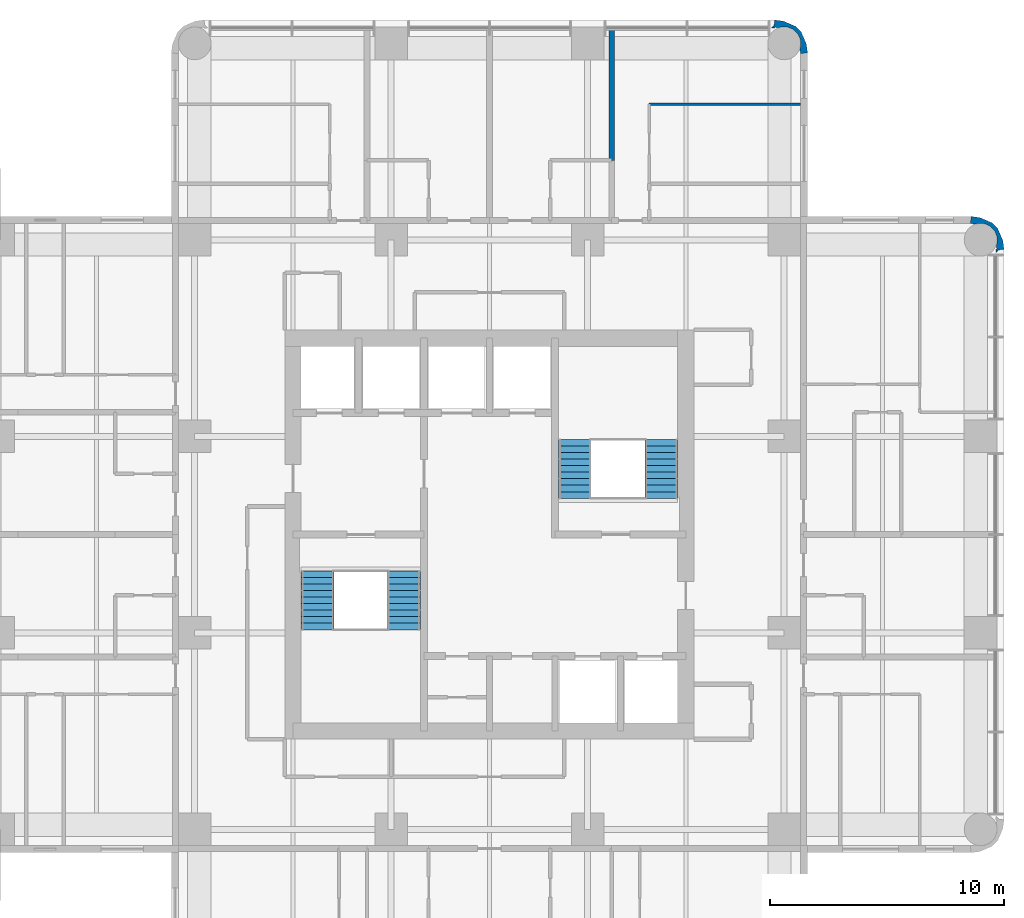
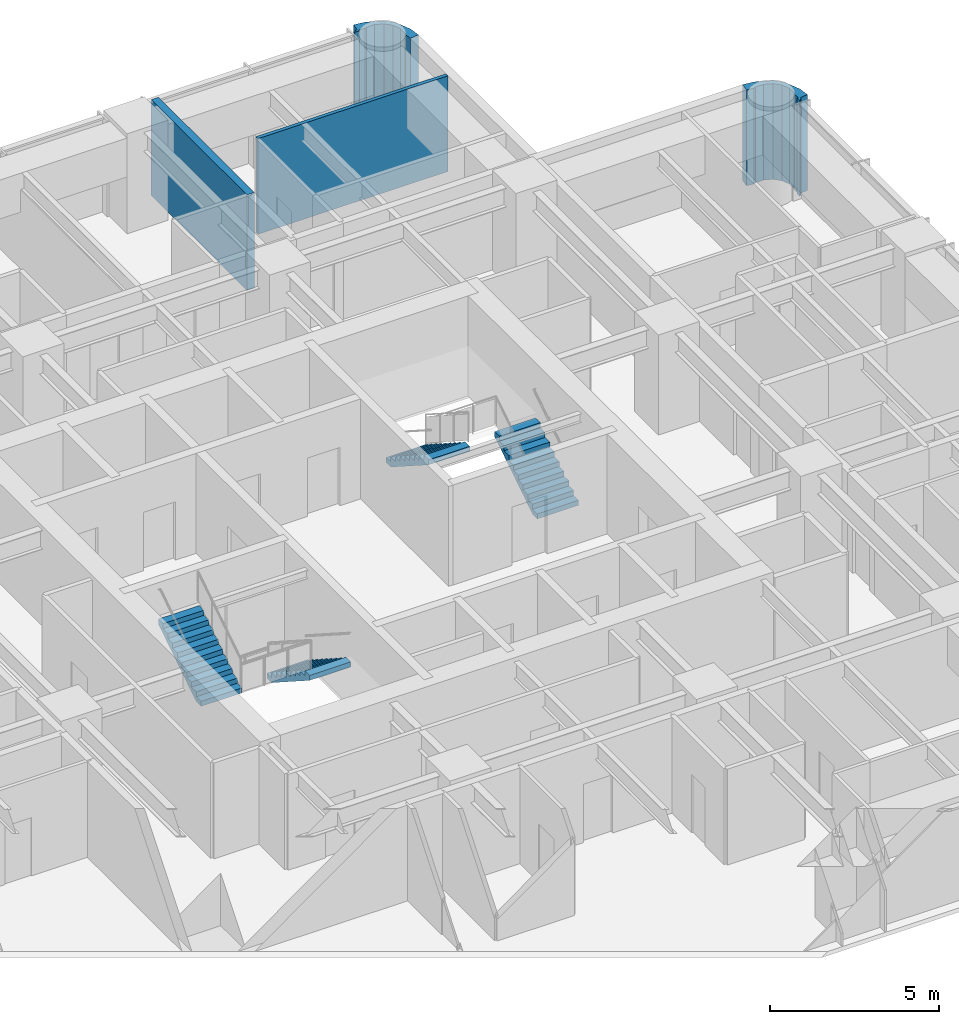
# One storey, part 10 of 11: 4 stair flights, 4 walls, 2 elements without a shape of their own.
"""IFC4 building model written with IfcOpenShell, lengths in metres."""

from ifc_helpers import new_model, si_unit, direction, frame, frame_2d, origin, place, context, subcontext, project, spatial, polyline, rectangle, outline, extrude, material, layer, layer_set, type_object, element, aggregate, save


model = new_model("IFC4")

# Units and contexts
model_context = context("Model", 3, precision=1e-05, world=origin(), true_north=direction((0.0, 1.0)))
body_context = subcontext(model_context, "Body", "Model", "MODEL_VIEW")
ifc_project = project(units=[si_unit("LENGTHUNIT", "METRE"), si_unit("AREAUNIT", "SQUARE_METRE"), si_unit("VOLUMEUNIT", "CUBIC_METRE"), si_unit("PLANEANGLEUNIT", "RADIAN"), si_unit("MASSUNIT", "GRAM", prefix="KILO")], contexts=[model_context])

# Site, building, storey
site_placement = place(None, origin())
site = spatial("IfcSite", under=ifc_project, at=site_placement, CompositionType="ELEMENT")
building_placement = place(site_placement, origin())
building = spatial("IfcBuilding", under=site, at=building_placement, Name="Torre Alcanfor", CompositionType="ELEMENT")
storey_placement = place(building_placement, frame((0.0, 0.0, 222.89990234375)))
storey = spatial("IfcBuildingStorey", under=building, at=storey_placement, Name="L58", CompositionType="ELEMENT", Elevation=222.89990234375)

# Walls
ifc_material_1 = material(Name="Gypsum board on steel studs", Category="steel")
ifc_layer_1 = layer(ifc_material_1, 0.1201171875)
ifc_layer_set_1 = layer_set([ifc_layer_1], Name="Apartment partition 120")
wall_type_1 = type_object("IfcWallType", Name="Apartment partition 120", PredefinedType="PARTITIONING", material=ifc_layer_set_1)
wall_1_placement = place(storey_placement, frame((42.699951171875, 47.800048828125, 0.0), z_axis=(0.0, 0.0, 1.0), x_axis=(-1.0, 0.0, 0.0)))
element("IfcWall", 1, at=wall_1_placement, inside=storey, type_object=wall_type_1, Name="Partition L58-N2B-LIVING / L58-N2B-MASTER", PredefinedType="PARTITIONING", context=body_context, shape_type="SweptSolid", body=[
    extrude(rectangle(XDim=6.470947265625, YDim=0.1201171875, at=frame_2d((3.2353515625, 0.0))), origin(), (0.0, 0.0, 1.0), 3.4501953125),
])
ifc_material_2 = material(Name="Concrete block masonry, hollow blocks NMX-C-404 9 MPa", Category="masonry")
ifc_layer_2 = layer(ifc_material_2, 0.25)
ifc_layer_set_2 = layer_set([ifc_layer_2], Name="Party wall 250 EI 60")
wall_type_2 = type_object("IfcWallType", Name="Party wall 250 EI 60", PredefinedType="PARTITIONING", material=ifc_layer_set_2)
wall_2_placement = place(storey_placement, frame((34.62890625, 51.050048828125, 0.0), z_axis=(0.0, 0.0, 1.0), x_axis=(0.0, -1.0, 0.0)))
element("IfcWall", 2, at=wall_2_placement, inside=storey, type_object=wall_type_2, Name="Partition L58-N2A-STUDIO / L58-N2B-LIVING", PredefinedType="PARTITIONING", context=body_context, shape_type="SweptSolid", body=[
    extrude(rectangle(XDim=5.650146484375, YDim=0.25, at=frame_2d((2.8251953125, 0.0))), origin(), (0.0, 0.0, 1.0), 3.4501953125),
])
ifc_material_3 = material(Name="Limestone cladding", Category="masonry")
ifc_layer_3 = layer(ifc_material_3, 0.0400390625, Name="Facing")
ifc_material_4 = material(Name="Ventilated air cavity")
ifc_layer_4 = layer(ifc_material_4, 0.02001953125, ventilated=True, Name="Ventilated joint")
ifc_material_5 = material(Name="Mineral wool insulation", Category="insulation")
ifc_layer_5 = layer(ifc_material_5, 0.10009765625, Name="Insulation")
ifc_material_6 = material(Name="Concrete f'c 35 MPa", Category="concrete")
ifc_layer_6 = layer(ifc_material_6, 0.139892578125, Name="Backing")
ifc_layer_set_3 = layer_set([ifc_layer_3, ifc_layer_4, ifc_layer_5, ifc_layer_6], Name="Rounded corner pier stone-clad 300")
wall_type_3 = type_object("IfcWallType", Name="Rounded corner pier stone-clad 300", PredefinedType="SOLIDWALL", material=ifc_layer_set_3)
wall_3_placement = place(storey_placement, frame((50.98815184, 41.487674505, 0.0), z_axis=(0.0, 0.0, 1.0), x_axis=(0.898030234854, 0.439933741929, 0.0)))
element("IfcWall", 3, at=wall_3_placement, inside=storey, type_object=wall_type_3, Name="Corner pier L58 18", PredefinedType="SOLIDWALL", context=body_context, shape_type="SweptSolid", body=[
    extrude(outline(polyline([(0.13762845900144902, -0.0395605783475044), (0.18185793649134802, -0.00033087416050568697), (0.41922313919285215, -0.08018355093564442), (0.535860291835806, 0.2661211239178742), (0.5587746083679793, 0.6308813409414961), (0.5545700157158291, 0.6511558966825934), (0.5663920082639611, 0.8356681075750403), (0.45545119814889223, 1.159160361177863), (0.33312688681130387, 1.297925592490813), (0.32402252373636403, 1.3165225487705126), (0.08234923743790223, 1.5906923948786469), (-0.22206721491752535, 1.7928353560160377), (-0.38958661601048106, 1.540782159618673), (-0.3718277173231749, 1.5320822980229156), (-0.19464371431186422, 1.4142897687749243), (-0.11970407362674929, 1.4096575385515544), (0.13067447329798665, 1.2870002306212465), (0.31526160288378063, 1.0777694581339308), (0.4057356995697948, 0.8140544036891404), (0.38812563637514036, 0.5355946934281371), (0.26546832844483254, 0.28521614650340116), (0.2089867161004748, 0.23540500505176065), (0.14757776297591008, 0.05289210976982966), (0.10504410439149783, 0.07372881532016215), (0.03190082356790798, -0.07557748105089318), (0.13762845900144902, -0.0395605783475044)])), origin(), (0.0, 0.0, 1.0), 3.4501953125),
])
wall_4_placement = place(storey_placement, frame((42.724211819, 50.110315272, 0.0), z_axis=(0.0, 0.0, 1.0), x_axis=(0.439933741929, 0.898030234854, 0.0)))
element("IfcWall", 4, at=wall_4_placement, inside=storey, type_object=wall_type_3, Name="Corner pier L58 19", PredefinedType="SOLIDWALL", context=body_context, shape_type="SweptSolid", body=[
    extrude(outline(polyline([(-0.14525732426811072, -0.04414433895897353), (0.0222620768248451, -0.29619753535633836), (0.3266785291802725, -0.09405457421894756), (0.5683518154787345, 0.1801152718891868), (0.5774561785536743, 0.19871222816888634), (0.6997804898912626, 0.33747745948183633), (0.8107213000063315, 0.6609697130846591), (0.7988993074581994, 0.8454819239771059), (0.8031039001103497, 0.8657564797182034), (0.7801895835781762, 1.2305166967418253), (0.6635524309352225, 1.5768213715953436), (0.42618722823371835, 1.496968694820205), (0.38195775074381944, 1.5361983990072037), (0.2762301153102783, 1.5722153017105926), (0.3493733961338682, 1.4229090053395372), (0.39190705471828047, 1.4437457108898697), (0.45331600784284515, 1.2612328156079387), (0.5097976201872029, 1.2114216741562982), (0.6324549281175107, 0.9610431272315622), (0.6500649913121652, 0.6825834169705589), (0.559590894626151, 0.4188683625257686), (0.37500376504035704, 0.20963759003845278), (0.1246252181156211, 0.08698028210814499), (0.04968557743050611, 0.08234805188477495), (-0.12749842558080457, -0.035444477363216154), (-0.14525732426811072, -0.04414433895897353)])), origin(), (0.0, 0.0, 1.0), 3.4501953125),
])

# Stair, stair flights
ifc_material_7 = material(Name="Concrete f'c 35 MPa", Category="concrete")
stair_type_1 = type_object("IfcStairType", Name="Exit stair S1 1400 wide", PredefinedType="HALF_TURN_STAIR", material=ifc_material_7)
stair_1_placement = place(storey_placement, origin())
stair_1 = element("IfcStair", 5, at=stair_1_placement, inside=storey, type_object=stair_type_1, Name="Stair S1 L58 to L59", PredefinedType="HALF_TURN_STAIR")
ifc_material_8 = material(Name="Concrete f'c 35 MPa", Category="concrete")
stair_flight_type = type_object("IfcStairFlightType", Name="Stair flight 1400", PredefinedType="STRAIGHT", material=ifc_material_8)
stair_flight_1_placement = place(storey_placement, frame((25.75, 27.85009765625, 0.0), z_axis=(0.0, 0.0, 1.0), x_axis=(0.0, -1.0, 0.0)))
stair_flight_1 = element("IfcStairFlight", 6, at=stair_flight_1_placement, type_object=stair_flight_type, Name="S1 flight 1", NumberOfRisers=10, NumberOfTreads=9, PredefinedType="STRAIGHT", RiserHeight=0.18, TreadLength=0.28, context=body_context, shape_type="SweptSolid", body=[
    extrude(outline(polyline([(0.0, 0.0), (0.0, 0.179931640625), (0.280029296875, 0.179931640625), (0.280029296875, 0.360107421875), (0.56005859375, 0.360107421875), (0.56005859375, 0.5400390625), (0.840087890625, 0.5400390625), (0.840087890625, 0.719970703125), (1.1201171875, 0.719970703125), (1.1201171875, 0.89990234375), (1.39990234375, 0.89990234375), (1.39990234375, 1.080078125), (1.679931640625, 1.080078125), (1.679931640625, 1.260009765625), (1.9599609375, 1.260009765625), (1.9599609375, 1.43994140625), (2.239990234375, 1.43994140625), (2.239990234375, 1.6201171875), (2.52001953125, 1.6201171875), (2.52001953125, 1.800048828125), (2.52001953125, 1.44189453125), (0.277099609375, 0.0), (0.0, 0.0)])), frame((0.0, 0.699951171875, 0.0), z_axis=(0.0, -1.0, 0.0), x_axis=(1.0, 0.0, 0.0)), (0.0, 0.0, 1.0), 1.39990234375),
])
stair_flight_2_placement = place(storey_placement, frame((22.050048828125, 25.330078125, 1.800048828125), z_axis=(0.0, 0.0, 1.0), x_axis=(0.0, 1.0, 0.0)))
stair_flight_2 = element("IfcStairFlight", 7, at=stair_flight_2_placement, type_object=stair_flight_type, Name="S1 flight 2", NumberOfRisers=10, NumberOfTreads=9, PredefinedType="STRAIGHT", RiserHeight=0.18, TreadLength=0.28, context=body_context, shape_type="SweptSolid", body=[
    extrude(outline(polyline([(0.0, 0.0), (0.0, 0.179931640625), (0.280029296875, 0.179931640625), (0.280029296875, 0.360107421875), (0.56005859375, 0.360107421875), (0.56005859375, 0.5400390625), (0.840087890625, 0.5400390625), (0.840087890625, 0.719970703125), (1.1201171875, 0.719970703125), (1.1201171875, 0.89990234375), (1.39990234375, 0.89990234375), (1.39990234375, 1.080078125), (1.679931640625, 1.080078125), (1.679931640625, 1.260009765625), (1.9599609375, 1.260009765625), (1.9599609375, 1.43994140625), (2.239990234375, 1.43994140625), (2.239990234375, 1.6201171875), (2.52001953125, 1.6201171875), (2.52001953125, 1.800048828125), (2.52001953125, 1.44189453125), (0.277099609375, 0.0), (0.0, 0.0)])), frame((0.0, 0.699951171875, 0.0), z_axis=(0.0, -1.0, 0.0), x_axis=(1.0, 0.0, 0.0)), (0.0, 0.0, 1.0), 1.39990234375),
])
aggregate(stair_1, [stair_flight_1, stair_flight_2])

ifc_material_9 = material(Name="Concrete f'c 35 MPa", Category="concrete")
stair_type_2 = type_object("IfcStairType", Name="Exit stair S2 1400 wide", PredefinedType="HALF_TURN_STAIR", material=ifc_material_9)
stair_2_placement = place(storey_placement, origin())
stair_2 = element("IfcStair", 8, at=stair_2_placement, inside=storey, type_object=stair_type_2, Name="Stair S2 L58 to L59", PredefinedType="HALF_TURN_STAIR")
stair_flight_3_placement = place(storey_placement, frame((36.75, 30.949951171875, 0.0), z_axis=(0.0, 0.0, 1.0), x_axis=(0.0, 1.0, 0.0)))
stair_flight_3 = element("IfcStairFlight", 9, at=stair_flight_3_placement, type_object=stair_flight_type, Name="S2 flight 1", NumberOfRisers=10, NumberOfTreads=9, PredefinedType="STRAIGHT", RiserHeight=0.18, TreadLength=0.28, context=body_context, shape_type="SweptSolid", body=[
    extrude(outline(polyline([(0.0, 0.0), (0.0, 0.179931640625), (0.280029296875, 0.179931640625), (0.280029296875, 0.360107421875), (0.56005859375, 0.360107421875), (0.56005859375, 0.5400390625), (0.840087890625, 0.5400390625), (0.840087890625, 0.719970703125), (1.1201171875, 0.719970703125), (1.1201171875, 0.89990234375), (1.39990234375, 0.89990234375), (1.39990234375, 1.080078125), (1.679931640625, 1.080078125), (1.679931640625, 1.260009765625), (1.9599609375, 1.260009765625), (1.9599609375, 1.43994140625), (2.239990234375, 1.43994140625), (2.239990234375, 1.6201171875), (2.52001953125, 1.6201171875), (2.52001953125, 1.800048828125), (2.52001953125, 1.44189453125), (0.277099609375, 0.0), (0.0, 0.0)])), frame((0.0, 0.699951171875, 0.0), z_axis=(0.0, -1.0, 0.0), x_axis=(1.0, 0.0, 0.0)), (0.0, 0.0, 1.0), 1.39990234375),
])
stair_flight_4_placement = place(storey_placement, frame((33.050048828125, 33.469970703125, 1.800048828125), z_axis=(0.0, 0.0, 1.0), x_axis=(0.0, -1.0, 0.0)))
stair_flight_4 = element("IfcStairFlight", 10, at=stair_flight_4_placement, type_object=stair_flight_type, Name="S2 flight 2", NumberOfRisers=10, NumberOfTreads=9, PredefinedType="STRAIGHT", RiserHeight=0.18, TreadLength=0.28, context=body_context, shape_type="SweptSolid", body=[
    extrude(outline(polyline([(0.0, 0.0), (0.0, 0.179931640625), (0.280029296875, 0.179931640625), (0.280029296875, 0.360107421875), (0.56005859375, 0.360107421875), (0.56005859375, 0.5400390625), (0.840087890625, 0.5400390625), (0.840087890625, 0.719970703125), (1.1201171875, 0.719970703125), (1.1201171875, 0.89990234375), (1.39990234375, 0.89990234375), (1.39990234375, 1.080078125), (1.679931640625, 1.080078125), (1.679931640625, 1.260009765625), (1.9599609375, 1.260009765625), (1.9599609375, 1.43994140625), (2.239990234375, 1.43994140625), (2.239990234375, 1.6201171875), (2.52001953125, 1.6201171875), (2.52001953125, 1.800048828125), (2.52001953125, 1.44189453125), (0.277099609375, 0.0), (0.0, 0.0)])), frame((0.0, 0.699951171875, 0.0), z_axis=(0.0, -1.0, 0.0), x_axis=(1.0, 0.0, 0.0)), (0.0, 0.0, 1.0), 1.39990234375),
])
aggregate(stair_2, [stair_flight_3, stair_flight_4])

save(model, "model.ifc")
